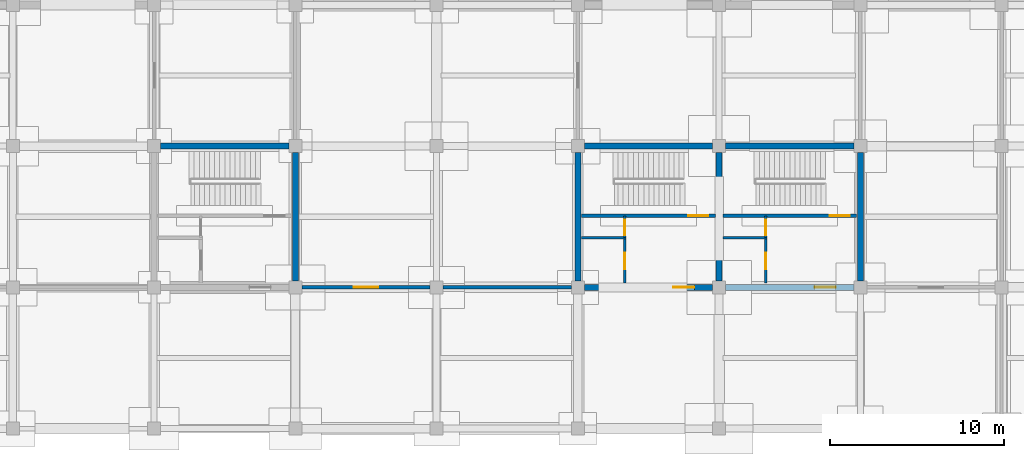
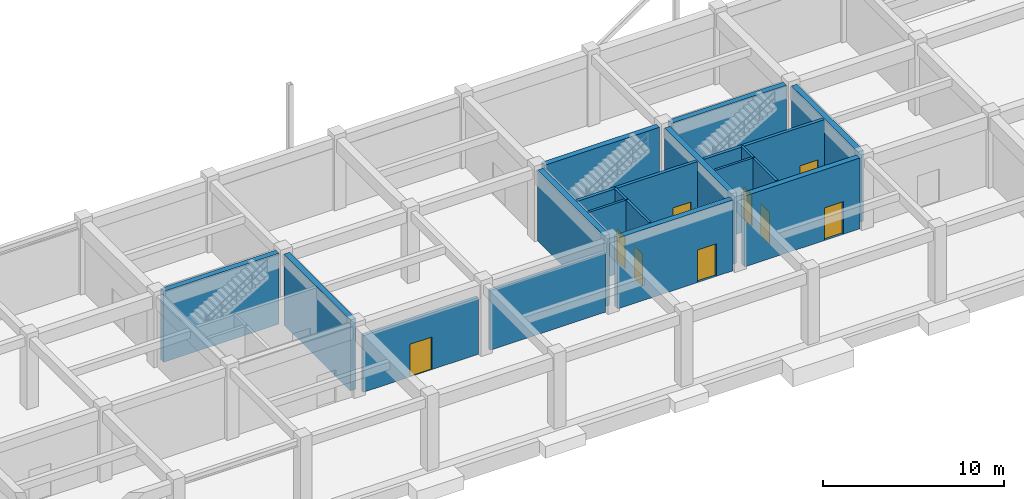
# One storey, part 50 of 67: 19 walls, 9 doors, 9 openings.
"""IFC4 building model written with IfcOpenShell, lengths in metres."""

from ifc_helpers import new_model, si_unit, direction, frame, frame_2d, origin, place, context, subcontext, project, spatial, rectangle, extrude, material, layer, layer_set, type_object, element, fill, save


model = new_model("IFC4")

# Units and contexts
model_context = context("Model", 3, precision=1e-05, world=origin(), true_north=direction((0.0, 1.0)))
body_context = subcontext(model_context, "Body", "Model", "MODEL_VIEW")
ifc_project = project(units=[si_unit("LENGTHUNIT", "METRE"), si_unit("AREAUNIT", "SQUARE_METRE"), si_unit("VOLUMEUNIT", "CUBIC_METRE"), si_unit("PLANEANGLEUNIT", "RADIAN"), si_unit("MASSUNIT", "GRAM", prefix="KILO")], contexts=[model_context])

# Site, building, storey
site_placement = place(None, origin())
site = spatial("IfcSite", under=ifc_project, at=site_placement, CompositionType="ELEMENT")
building_placement = place(site_placement, origin())
building = spatial("IfcBuilding", under=site, at=building_placement, Name="Vaudrelin Polytechnic", CompositionType="ELEMENT")
storey_placement = place(building_placement, frame((0.0, 0.0, -5.10009765625)))
storey = spatial("IfcBuildingStorey", under=building, at=storey_placement, Name="B1", CompositionType="ELEMENT", Elevation=-5.10009765625)

# Wall, opening, door
ifc_material_1 = material(Name="Concrete masonry unit 20 MPa shaft & corridor fire wall", Category="masonry")
ifc_layer_1 = layer(ifc_material_1, 0.199951171875)
ifc_layer_set_1 = layer_set([ifc_layer_1], Name="Concrete masonry unit 20 MPa shaft & corridor fire wall")
wall_type_1 = type_object("IfcWallType", Name="WAL-PW-FIRE120", PredefinedType="PARTITIONING", material=ifc_layer_set_1)
wall_1_placement = place(storey_placement, frame((89.472900390625, 105.300048828125, 0.0), z_axis=(0.0, 0.0, 1.0), x_axis=(1.0, 0.0, 0.0)))
wall_1 = element("IfcWall", 1, at=wall_1_placement, inside=storey, type_object=wall_type_1, Name="Partition B1-014 S", PredefinedType="PARTITIONING", context=body_context, shape_type="SweptSolid", body=[
    extrude(rectangle(XDim=7.35400390625, YDim=0.199951171875, at=frame_2d((3.677001953125, 0.0))), origin(), (0.0, 0.0, 1.0), 3.83203125),
])
opening_1_placement = place(wall_1_placement, frame((2.97705078125, 0.0, 0.0)))
opening_1 = element("IfcOpeningElement", 2, at=opening_1_placement, cuts=wall_1, Name="Opening D-B1-401", PredefinedType="OPENING", context=body_context, shape_type="SweptSolid", body=[
    extrude(rectangle(XDim=1.39990234375, YDim=2.199951171875, at=frame_2d((0.699951171875, 1.10009765625))), frame((0.0, 0.10986328125, 0.0), z_axis=(0.0, -1.0, 0.0), x_axis=(1.0, 0.0, 0.0)), (0.0, 0.0, 1.0), 0.219970703125),
])
ifc_material_2 = material(Name="Pressed galvanised steel acoustic leaf", Category="steel")
door_type_1 = type_object("IfcDoorType", Name="DOR-ID-PLT1", OperationType="NOTDEFINED", PredefinedType="DOOR", material=ifc_material_2)
door_1_placement = place(opening_1_placement, origin())
door_1 = element("IfcDoor", 3, at=door_1_placement, inside=storey, type_object=door_type_1, Name="Main Electrical Switchgear Hall door B1-014", OperationType="DOUBLE_SWING_LEFT", OverallHeight=2.199951171875, OverallWidth=1.39990234375, PredefinedType="DOOR", context=body_context, shape_type="SweptSolid", body=[
    extrude(rectangle(XDim=1.39990234375, YDim=2.199951171875, at=frame_2d((0.699951171875, 1.10009765625))), frame((0.0, 0.02490234375, 0.0), z_axis=(0.0, -1.0, 0.0), x_axis=(1.0, 0.0, 0.0)), (0.0, 0.0, 1.0), 0.050048828125),
])
fill(opening_1, door_1)

# Wall
wall_2_placement = place(storey_placement, frame((97.572998046875, 105.300048828125, 0.0), z_axis=(0.0, 0.0, 1.0), x_axis=(1.0, 0.0, 0.0)))
element("IfcWall", 4, at=wall_2_placement, inside=storey, type_object=wall_type_1, Name="Partition B1-014 S", PredefinedType="PARTITIONING", context=body_context, shape_type="SweptSolid", body=[
    extrude(rectangle(XDim=7.35400390625, YDim=0.199951171875, at=frame_2d((3.677001953125, 0.0))), origin(), (0.0, 0.0, 1.0), 4.031982421875),
])

# Wall, opening, door
ifc_material_3 = material(Name="Fire-rated steel-stud gypsum compartment wall", Category="steel")
ifc_layer_2 = layer(ifc_material_3, 0.14990234375)
ifc_layer_set_2 = layer_set([ifc_layer_2], Name="Fire-rated steel-stud gypsum compartment wall")
wall_type_2 = type_object("IfcWallType", Name="WAL-PW-FIRE60", PredefinedType="PARTITIONING", material=ifc_layer_set_2)
wall_3_placement = place(storey_placement, frame((116.080078125, 108.14990234375, 0.0), z_axis=(0.0, 0.0, 1.0), x_axis=(0.0, 1.0, 0.0)))
wall_3 = element("IfcWall", 5, at=wall_3_placement, inside=storey, type_object=wall_type_2, Name="Core C10 riser enclosure wall B1", PredefinedType="PARTITIONING", context=body_context, shape_type="SweptSolid", body=[
    extrude(rectangle(XDim=1.260009765625, YDim=0.14990234375, at=frame_2d((0.6298828125, 0.0))), origin(), (0.0, 0.0, 1.0), 4.781982421875),
])
opening_2_placement = place(wall_3_placement, frame((0.139892578125, 0.0, 0.0)))
opening_2 = element("IfcOpeningElement", 6, at=opening_2_placement, cuts=wall_3, Name="Opening D-B1-205", PredefinedType="OPENING", context=body_context, shape_type="SweptSolid", body=[
    extrude(rectangle(XDim=0.89990234375, YDim=2.14990234375, at=frame_2d((0.449951171875, 1.074951171875))), frame((0.0, 0.0849609375, 0.0), z_axis=(0.0, -1.0, 0.0), x_axis=(1.0, 0.0, 0.0)), (0.0, 0.0, 1.0), 0.169921875),
])
door_type_2 = type_object("IfcDoorType", Name="DOR-ID-RSR1", OperationType="NOTDEFINED", PredefinedType="DOOR", material=ifc_material_2)
door_2_placement = place(opening_2_placement, origin())
door_2 = element("IfcDoor", 7, at=door_2_placement, inside=storey, type_object=door_type_2, Name="Core C10 riser access door B1", OperationType="SINGLE_SWING_RIGHT", OverallHeight=2.14990234375, OverallWidth=0.89990234375, PredefinedType="DOOR", context=body_context, shape_type="SweptSolid", body=[
    extrude(rectangle(XDim=0.89990234375, YDim=2.14990234375, at=frame_2d((0.449951171875, 1.074951171875))), frame((0.0, 0.02490234375, 0.0), z_axis=(0.0, -1.0, 0.0), x_axis=(1.0, 0.0, 0.0)), (0.0, 0.0, 1.0), 0.050048828125),
])
fill(opening_2, door_2)

# Wall
wall_4_placement = place(storey_placement, frame((113.6201171875, 108.14990234375, 0.0), z_axis=(0.0, 0.0, 1.0), x_axis=(1.0, 0.0, 0.0)))
element("IfcWall", 8, at=wall_4_placement, inside=storey, type_object=wall_type_2, Name="Core C10 riser south fire wall B1", PredefinedType="PARTITIONING", context=body_context, shape_type="SweptSolid", body=[
    extrude(rectangle(XDim=2.52978515625, YDim=0.14990234375, at=frame_2d((1.264892578125, 0.0))), origin(), (0.0, 0.0, 1.0), 4.781982421875),
])

# Wall, opening, door
wall_5_placement = place(storey_placement, frame((116.080078125, 105.550048828125, 0.0), z_axis=(0.0, 0.0, 1.0), x_axis=(0.0, 1.0, 0.0)))
wall_5 = element("IfcWall", 9, at=wall_5_placement, inside=storey, type_object=wall_type_2, Name="Core C10 custodial enclosure wall B1", PredefinedType="PARTITIONING", context=body_context, shape_type="SweptSolid", body=[
    extrude(rectangle(XDim=2.599853515625, YDim=0.14990234375, at=frame_2d((1.2998046875, 0.0))), origin(), (0.0, 0.0, 1.0), 4.781982421875),
])
opening_3_placement = place(wall_5_placement, frame((0.800048828125, 0.0, 0.0)))
opening_3 = element("IfcOpeningElement", 10, at=opening_3_placement, cuts=wall_5, Name="Opening D-B1-206", PredefinedType="OPENING", context=body_context, shape_type="SweptSolid", body=[
    extrude(rectangle(XDim=0.949951171875, YDim=2.14990234375, at=frame_2d((0.47509765625, 1.074951171875))), frame((0.0, 0.0849609375, 0.0), z_axis=(0.0, -1.0, 0.0), x_axis=(1.0, 0.0, 0.0)), (0.0, 0.0, 1.0), 0.169921875),
])
door_type_3 = type_object("IfcDoorType", Name="DOR-ID-STR1", OperationType="NOTDEFINED", PredefinedType="DOOR", material=ifc_material_2)
door_3_placement = place(opening_3_placement, origin())
door_3 = element("IfcDoor", 11, at=door_3_placement, inside=storey, type_object=door_type_3, Name="Core C10 custodial door B1", OperationType="SINGLE_SWING_RIGHT", OverallHeight=2.14990234375, OverallWidth=0.949951171875, PredefinedType="DOOR", context=body_context, shape_type="SweptSolid", body=[
    extrude(rectangle(XDim=0.949951171875, YDim=2.14990234375, at=frame_2d((0.47509765625, 1.074951171875))), frame((0.0, 0.02490234375, 0.0), z_axis=(0.0, -1.0, 0.0), x_axis=(1.0, 0.0, 0.0)), (0.0, 0.0, 1.0), 0.050048828125),
])
fill(opening_3, door_3)

wall_6_placement = place(storey_placement, frame((107.97998046875, 108.14990234375, 0.0), z_axis=(0.0, 0.0, 1.0), x_axis=(0.0, 1.0, 0.0)))
wall_6 = element("IfcWall", 12, at=wall_6_placement, inside=storey, type_object=wall_type_2, Name="Core C11 riser enclosure wall B1", PredefinedType="PARTITIONING", context=body_context, shape_type="SweptSolid", body=[
    extrude(rectangle(XDim=1.260009765625, YDim=0.14990234375, at=frame_2d((0.6298828125, 0.0))), origin(), (0.0, 0.0, 1.0), 4.781982421875),
])
opening_4_placement = place(wall_6_placement, frame((0.139892578125, 0.0, 0.0)))
opening_4 = element("IfcOpeningElement", 13, at=opening_4_placement, cuts=wall_6, Name="Opening D-B1-234", PredefinedType="OPENING", context=body_context, shape_type="SweptSolid", body=[
    extrude(rectangle(XDim=0.89990234375, YDim=2.14990234375, at=frame_2d((0.449951171875, 1.074951171875))), frame((0.0, 0.0849609375, 0.0), z_axis=(0.0, -1.0, 0.0), x_axis=(1.0, 0.0, 0.0)), (0.0, 0.0, 1.0), 0.169921875),
])
door_4_placement = place(opening_4_placement, origin())
door_4 = element("IfcDoor", 14, at=door_4_placement, inside=storey, type_object=door_type_2, Name="Core C11 riser access door B1", OperationType="SINGLE_SWING_RIGHT", OverallHeight=2.14990234375, OverallWidth=0.89990234375, PredefinedType="DOOR", context=body_context, shape_type="SweptSolid", body=[
    extrude(rectangle(XDim=0.89990234375, YDim=2.14990234375, at=frame_2d((0.449951171875, 1.074951171875))), frame((0.0, 0.02490234375, 0.0), z_axis=(0.0, -1.0, 0.0), x_axis=(1.0, 0.0, 0.0)), (0.0, 0.0, 1.0), 0.050048828125),
])
fill(opening_4, door_4)

# Wall
wall_7_placement = place(storey_placement, frame((105.52001953125, 108.14990234375, 0.0), z_axis=(0.0, 0.0, 1.0), x_axis=(1.0, 0.0, 0.0)))
element("IfcWall", 15, at=wall_7_placement, inside=storey, type_object=wall_type_2, Name="Core C11 riser south fire wall B1", PredefinedType="PARTITIONING", context=body_context, shape_type="SweptSolid", body=[
    extrude(rectangle(XDim=2.530029296875, YDim=0.14990234375, at=frame_2d((1.26513671875, 0.0))), origin(), (0.0, 0.0, 1.0), 4.781982421875),
])

# Wall, opening, door
wall_8_placement = place(storey_placement, frame((107.97998046875, 105.550048828125, 0.0), z_axis=(0.0, 0.0, 1.0), x_axis=(0.0, 1.0, 0.0)))
wall_8 = element("IfcWall", 16, at=wall_8_placement, inside=storey, type_object=wall_type_2, Name="Core C11 custodial enclosure wall B1", PredefinedType="PARTITIONING", context=body_context, shape_type="SweptSolid", body=[
    extrude(rectangle(XDim=2.599853515625, YDim=0.14990234375, at=frame_2d((1.2998046875, 0.0))), origin(), (0.0, 0.0, 1.0), 4.781982421875),
])
opening_5_placement = place(wall_8_placement, frame((0.800048828125, 0.0, 0.0)))
opening_5 = element("IfcOpeningElement", 17, at=opening_5_placement, cuts=wall_8, Name="Opening D-B1-235", PredefinedType="OPENING", context=body_context, shape_type="SweptSolid", body=[
    extrude(rectangle(XDim=0.949951171875, YDim=2.14990234375, at=frame_2d((0.47509765625, 1.074951171875))), frame((0.0, 0.0849609375, 0.0), z_axis=(0.0, -1.0, 0.0), x_axis=(1.0, 0.0, 0.0)), (0.0, 0.0, 1.0), 0.169921875),
])
door_5_placement = place(opening_5_placement, origin())
door_5 = element("IfcDoor", 18, at=door_5_placement, inside=storey, type_object=door_type_3, Name="Core C11 custodial door B1", OperationType="SINGLE_SWING_RIGHT", OverallHeight=2.14990234375, OverallWidth=0.949951171875, PredefinedType="DOOR", context=body_context, shape_type="SweptSolid", body=[
    extrude(rectangle(XDim=0.949951171875, YDim=2.14990234375, at=frame_2d((0.47509765625, 1.074951171875))), frame((0.0, 0.02490234375, 0.0), z_axis=(0.0, -1.0, 0.0), x_axis=(1.0, 0.0, 0.0)), (0.0, 0.0, 1.0), 0.050048828125),
])
fill(opening_5, door_5)

ifc_material_4 = material(Name="Concrete 40 MPa", Category="concrete")
ifc_layer_3 = layer(ifc_material_4, 0.199951171875)
ifc_layer_set_3 = layer_set([ifc_layer_3], Name="Concrete 40 MPa")
wall_type_3 = type_object("IfcWallType", Name="WAL-SW-CORE200", PredefinedType="SHEAR", material=ifc_layer_set_3)
wall_9_placement = place(storey_placement, frame((113.6201171875, 109.409912109375, 0.0), z_axis=(0.0, 0.0, 1.0), x_axis=(1.0, 0.0, 0.0)))
wall_9 = element("IfcWall", 19, at=wall_9_placement, inside=storey, type_object=wall_type_3, Name="Core C10 stair enclosure wall B1", PredefinedType="SHEAR", context=body_context, shape_type="SweptSolid", body=[
    extrude(rectangle(XDim=7.659912109375, YDim=0.199951171875, at=frame_2d((3.830078125, 0.0))), origin(), (0.0, 0.0, 1.0), 4.781982421875),
])
opening_6_placement = place(wall_9_placement, frame((6.110107421875, 0.0, 0.0)))
opening_6 = element("IfcOpeningElement", 20, at=opening_6_placement, cuts=wall_9, Name="Opening D-B1-204", PredefinedType="OPENING", context=body_context, shape_type="SweptSolid", body=[
    extrude(rectangle(XDim=1.14990234375, YDim=2.199951171875, at=frame_2d((0.574951171875, 1.10009765625))), frame((0.0, 0.10986328125, 0.0), z_axis=(0.0, -1.0, 0.0), x_axis=(1.0, 0.0, 0.0)), (0.0, 0.0, 1.0), 0.219970703125),
])
door_type_4 = type_object("IfcDoorType", Name="DOR-ID-ST1", OperationType="NOTDEFINED", PredefinedType="DOOR", material=ifc_material_2)
door_6_placement = place(opening_6_placement, origin())
door_6 = element("IfcDoor", 21, at=door_6_placement, inside=storey, type_object=door_type_4, Name="Core C10 exit stair door B1", OperationType="SINGLE_SWING_LEFT", OverallHeight=2.199951171875, OverallWidth=1.14990234375, PredefinedType="DOOR", context=body_context, shape_type="SweptSolid", body=[
    extrude(rectangle(XDim=1.14990234375, YDim=2.199951171875, at=frame_2d((0.574951171875, 1.10009765625))), frame((0.0, 0.02490234375, 0.0), z_axis=(0.0, -1.0, 0.0), x_axis=(1.0, 0.0, 0.0)), (0.0, 0.0, 1.0), 0.050048828125),
])
fill(opening_6, door_6)

wall_10_placement = place(storey_placement, frame((105.52001953125, 109.409912109375, 0.0), z_axis=(0.0, 0.0, 1.0), x_axis=(1.0, 0.0, 0.0)))
wall_10 = element("IfcWall", 22, at=wall_10_placement, inside=storey, type_object=wall_type_3, Name="Core C11 stair enclosure wall B1", PredefinedType="SHEAR", context=body_context, shape_type="SweptSolid", body=[
    extrude(rectangle(XDim=7.659912109375, YDim=0.199951171875, at=frame_2d((3.830078125, 0.0))), origin(), (0.0, 0.0, 1.0), 4.781982421875),
])
opening_7_placement = place(wall_10_placement, frame((6.110107421875, 0.0, 0.0)))
opening_7 = element("IfcOpeningElement", 23, at=opening_7_placement, cuts=wall_10, Name="Opening D-B1-233", PredefinedType="OPENING", context=body_context, shape_type="SweptSolid", body=[
    extrude(rectangle(XDim=1.14990234375, YDim=2.199951171875, at=frame_2d((0.574951171875, 1.10009765625))), frame((0.0, 0.10986328125, 0.0), z_axis=(0.0, -1.0, 0.0), x_axis=(1.0, 0.0, 0.0)), (0.0, 0.0, 1.0), 0.219970703125),
])
door_7_placement = place(opening_7_placement, origin())
door_7 = element("IfcDoor", 24, at=door_7_placement, inside=storey, type_object=door_type_4, Name="Core C11 exit stair door B1", OperationType="SINGLE_SWING_LEFT", OverallHeight=2.199951171875, OverallWidth=1.14990234375, PredefinedType="DOOR", context=body_context, shape_type="SweptSolid", body=[
    extrude(rectangle(XDim=1.14990234375, YDim=2.199951171875, at=frame_2d((0.574951171875, 1.10009765625))), frame((0.0, 0.02490234375, 0.0), z_axis=(0.0, -1.0, 0.0), x_axis=(1.0, 0.0, 0.0)), (0.0, 0.0, 1.0), 0.050048828125),
])
fill(opening_7, door_7)

# Walls
ifc_material_5 = material(Name="Concrete 50 MPa", Category="concrete")
ifc_layer_4 = layer(ifc_material_5, 0.35009765625)
ifc_layer_set_4 = layer_set([ifc_layer_4], Name="Concrete 50 MPa")
wall_type_4 = type_object("IfcWallType", Name="WAL-SW-CORE350", PredefinedType="SHEAR", material=ifc_layer_set_4)
for number, where, z_axis, x_axis, name in (
    (25, (81.373046875, 113.39990234375, 0.0), (0.0, 0.0, 1.0), (1.0, 0.0, 0.0), "Core C2 N shear wall B1"),
    (26, (89.10009765625, 105.673095703125, 0.0), (0.0, 0.0, 1.0), (0.0, 1.0, 0.0), "Core C2 E shear wall B1"),
    (27, (113.77294921875, 113.39990234375, 0.0), (0.0, 0.0, 1.0), (1.0, 0.0, 0.0), "Core C10 N shear wall B1"),
    (28, (113.39990234375, 105.673095703125, 0.0), (0.0, 0.0, 1.0), (0.0, 1.0, 0.0), "Core C10 W shear wall B1"),
    (29, (121.5, 105.673095703125, 0.0), (0.0, 0.0, 1.0), (0.0, 1.0, 0.0), "Core C10 E shear wall B1"),
):
    element("IfcWall", number, at=place(storey_placement, frame(where, z_axis=z_axis, x_axis=x_axis)), inside=storey, type_object=wall_type_4, Name=name, PredefinedType="SHEAR", context=body_context, shape_type="SweptSolid", body=[
        extrude(rectangle(XDim=7.35400390625, YDim=0.35009765625, at=frame_2d((3.677001953125, 0.0))), origin(), (0.0, 0.0, 1.0), 4.781982421875),
    ])

# Wall, opening, door
wall_11_placement = place(storey_placement, frame((113.77294921875, 105.300048828125, 0.0), z_axis=(0.0, 0.0, 1.0), x_axis=(1.0, 0.0, 0.0)))
wall_11 = element("IfcWall", 30, at=wall_11_placement, inside=storey, type_object=wall_type_4, Name="Core C10 S shear wall B1", PredefinedType="SHEAR", context=body_context, shape_type="SweptSolid", body=[
    extrude(rectangle(XDim=7.35400390625, YDim=0.35009765625, at=frame_2d((3.677001953125, 0.0))), origin(), (0.0, 0.0, 1.0), 4.781982421875),
])
opening_8_placement = place(wall_11_placement, frame((5.10400390625, 0.0, 0.0)))
opening_8 = element("IfcOpeningElement", 31, at=opening_8_placement, cuts=wall_11, Name="Opening D-B1-203", PredefinedType="OPENING", context=body_context, shape_type="SweptSolid", body=[
    extrude(rectangle(XDim=1.199951171875, YDim=2.199951171875, at=frame_2d((0.60009765625, 1.10009765625))), frame((0.0, 0.18505859375, 0.0), z_axis=(0.0, -1.0, 0.0), x_axis=(1.0, 0.0, 0.0)), (0.0, 0.0, 1.0), 0.3701171875),
])
door_type_5 = type_object("IfcDoorType", Name="DOR-ID-LB1", OperationType="NOTDEFINED", PredefinedType="DOOR", material=ifc_material_2)
door_8_placement = place(opening_8_placement, origin())
door_8 = element("IfcDoor", 32, at=door_8_placement, inside=storey, type_object=door_type_5, Name="Core C10 lobby fire door B1", OperationType="SINGLE_SWING_LEFT", OverallHeight=2.199951171875, OverallWidth=1.199951171875, PredefinedType="DOOR", context=body_context, shape_type="SweptSolid", body=[
    extrude(rectangle(XDim=1.199951171875, YDim=2.199951171875, at=frame_2d((0.60009765625, 1.10009765625))), frame((0.0, 0.02490234375, 0.0), z_axis=(0.0, -1.0, 0.0), x_axis=(1.0, 0.0, 0.0)), (0.0, 0.0, 1.0), 0.050048828125),
])
fill(opening_8, door_8)

# Walls
for number, where, z_axis, x_axis, name in (
    (33, (105.673095703125, 113.39990234375, 0.0), (0.0, 0.0, 1.0), (1.0, 0.0, 0.0), "Core C11 N shear wall B1"),
    (34, (105.300048828125, 105.673095703125, 0.0), (0.0, 0.0, 1.0), (0.0, 1.0, 0.0), "Core C11 W shear wall B1"),
):
    element("IfcWall", number, at=place(storey_placement, frame(where, z_axis=z_axis, x_axis=x_axis)), inside=storey, type_object=wall_type_4, Name=name, PredefinedType="SHEAR", context=body_context, shape_type="SweptSolid", body=[
        extrude(rectangle(XDim=7.35400390625, YDim=0.35009765625, at=frame_2d((3.677001953125, 0.0))), origin(), (0.0, 0.0, 1.0), 4.781982421875),
    ])

# Wall, opening, door
wall_12_placement = place(storey_placement, frame((105.673095703125, 105.300048828125, 0.0), z_axis=(0.0, 0.0, 1.0), x_axis=(1.0, 0.0, 0.0)))
wall_12 = element("IfcWall", 35, at=wall_12_placement, inside=storey, type_object=wall_type_4, Name="Core C11 S shear wall B1", PredefinedType="SHEAR", context=body_context, shape_type="SweptSolid", body=[
    extrude(rectangle(XDim=7.35400390625, YDim=0.35009765625, at=frame_2d((3.677001953125, 0.0))), origin(), (0.0, 0.0, 1.0), 4.781982421875),
])
opening_9_placement = place(wall_12_placement, frame((5.10400390625, 0.0, 0.0)))
opening_9 = element("IfcOpeningElement", 36, at=opening_9_placement, cuts=wall_12, Name="Opening D-B1-232", PredefinedType="OPENING", context=body_context, shape_type="SweptSolid", body=[
    extrude(rectangle(XDim=1.199951171875, YDim=2.199951171875, at=frame_2d((0.60009765625, 1.10009765625))), frame((0.0, 0.18505859375, 0.0), z_axis=(0.0, -1.0, 0.0), x_axis=(1.0, 0.0, 0.0)), (0.0, 0.0, 1.0), 0.3701171875),
])
door_9_placement = place(opening_9_placement, origin())
door_9 = element("IfcDoor", 37, at=door_9_placement, inside=storey, type_object=door_type_5, Name="Core C11 lobby fire door B1", OperationType="SINGLE_SWING_RIGHT", OverallHeight=2.199951171875, OverallWidth=1.199951171875, PredefinedType="DOOR", context=body_context, shape_type="SweptSolid", body=[
    extrude(rectangle(XDim=1.199951171875, YDim=2.199951171875, at=frame_2d((0.60009765625, 1.10009765625))), frame((0.0, 0.02490234375, 0.0), z_axis=(0.0, -1.0, 0.0), x_axis=(1.0, 0.0, 0.0)), (0.0, 0.0, 1.0), 0.050048828125),
])
fill(opening_9, door_9)

save(model, "model.ifc")
